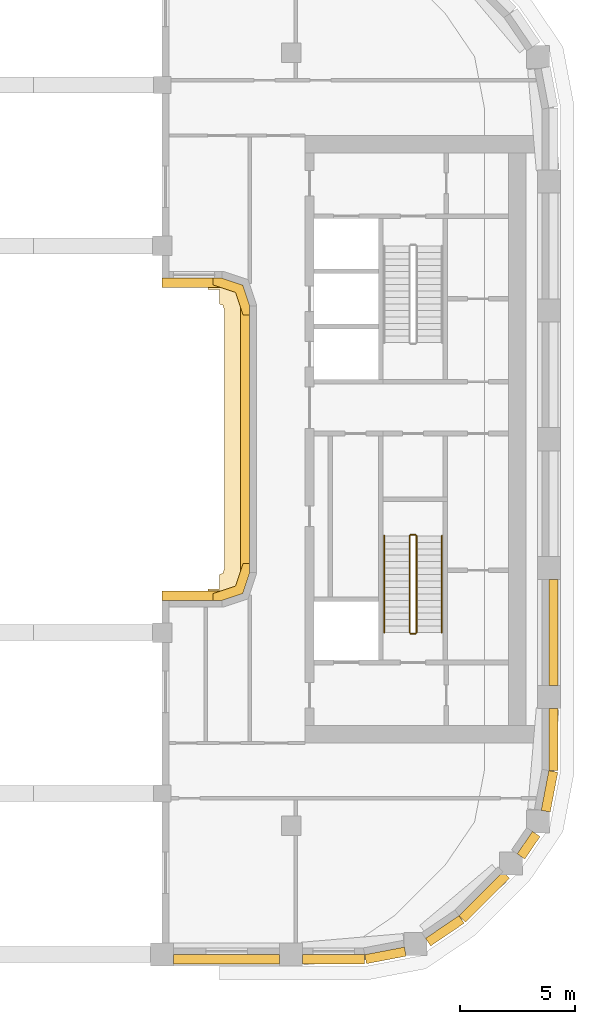
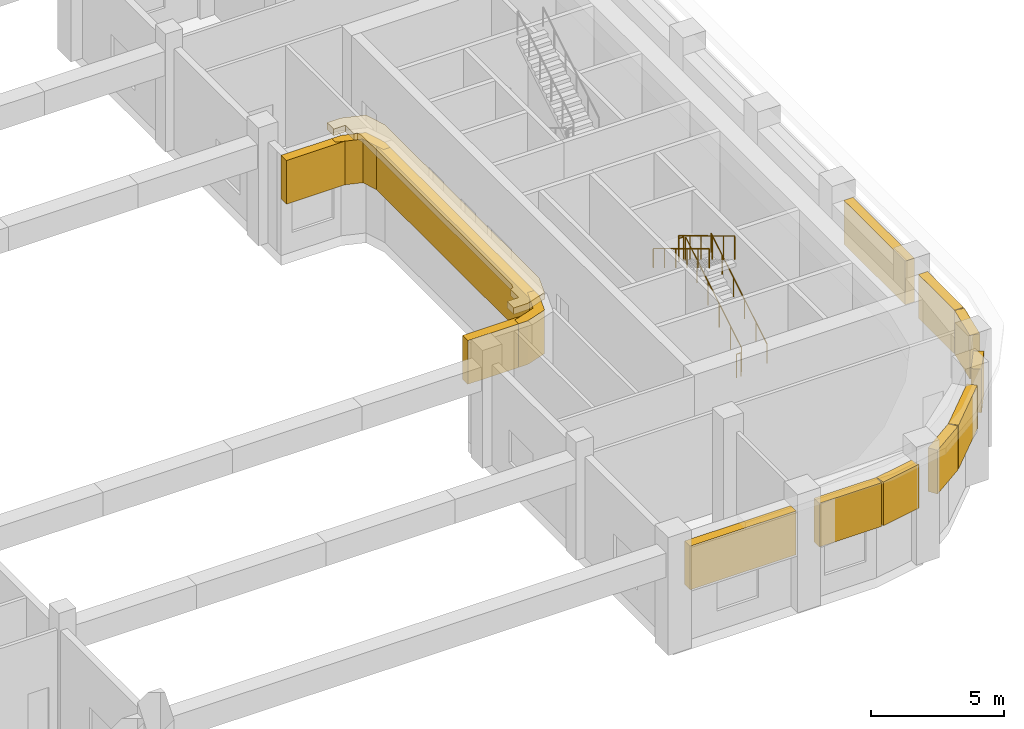
# One storey, part 11 of 14: 15 coverings, 6 railings.
"""IFC4 building model written with IfcOpenShell, lengths in metres."""

from ifc_helpers import new_model, si_unit, direction, frame, origin, origin_2d, place, context, subcontext, project, spatial, polyline, rectangle, circle, outline, extrude, material, layer, layer_set, type_object, element, save


model = new_model("IFC4")

# Units and contexts
model_context = context("Model", 3, precision=1e-05, world=origin(), true_north=direction((0.0, 1.0)))
body_context = subcontext(model_context, "Body", "Model", "MODEL_VIEW")
ifc_project = project(units=[si_unit("LENGTHUNIT", "METRE"), si_unit("AREAUNIT", "SQUARE_METRE"), si_unit("VOLUMEUNIT", "CUBIC_METRE"), si_unit("PLANEANGLEUNIT", "RADIAN"), si_unit("MASSUNIT", "GRAM", prefix="KILO")], contexts=[model_context])

# Site, building, storey
site_placement = place(None, origin())
site = spatial("IfcSite", under=ifc_project, at=site_placement, CompositionType="ELEMENT")
building_placement = place(site_placement, origin())
building = spatial("IfcBuilding", under=site, at=building_placement, Name="Kiln Ring Residences", CompositionType="ELEMENT")
storey_placement = place(building_placement, frame((0.0, 0.0, 183.5)))
storey = spatial("IfcBuildingStorey", under=building, at=storey_placement, Name="L47", CompositionType="ELEMENT", Elevation=183.5)

# Railings
ifc_material_1 = material(Name="Stainless steel", Category="steel")
railing_type_1 = type_object("IfcRailingType", Name="CORE-STAIR-GUARD", PredefinedType="GUARDRAIL", material=ifc_material_1)
railing_1_placement = place(storey_placement, frame((22.25, -8.39990234375, 0.168701171875)))
element("IfcRailing", 1, at=railing_1_placement, inside=storey, type_object=railing_type_1, Name="L47 E-STS stair guard 1", PredefinedType="GUARDRAIL", context=body_context, shape_type="SweptSolid", body=[
    extrude(circle(Radius=0.02392578125, at=origin_2d()), frame((0.0, 0.0, 1.076171875), z_axis=(0.0, 0.856476492594, 0.516186030065), x_axis=(-1.0, 0.0, 0.0)), (0.0, 0.0, 1.0), 4.90380859375),
    extrude(circle(Radius=0.02099609375, at=origin_2d()), origin(), (0.0, 0.0, 1.0), 1.052001953125),
    extrude(circle(Radius=0.02099609375, at=origin_2d()), frame((0.0, 0.840087890625, 0.50634765625)), (0.0, 0.0, 1.0), 1.052001953125),
    extrude(circle(Radius=0.02099609375, at=origin_2d()), frame((0.0, 1.679931640625, 1.012451171875)), (0.0, 0.0, 1.0), 1.052001953125),
    extrude(circle(Radius=0.02099609375, at=origin_2d()), frame((0.0, 2.52001953125, 1.518798828125)), (0.0, 0.0, 1.0), 1.052001953125),
    extrude(circle(Radius=0.02099609375, at=origin_2d()), frame((0.0, 3.35986328125, 2.02490234375)), (0.0, 0.0, 1.0), 1.052001953125),
    extrude(circle(Radius=0.02099609375, at=origin_2d()), frame((0.0, 4.199951171875, 2.53125)), (0.0, 0.0, 1.0), 1.052001953125),
])
railing_2_placement = place(storey_placement, frame((22.199951171875, -4.14990234375, 2.699951171875)))
element("IfcRailing", 2, at=railing_2_placement, inside=storey, type_object=railing_type_1, Name="L47 E-STS stair guard 2", PredefinedType="GUARDRAIL", context=body_context, shape_type="SweptSolid", body=[
    extrude(circle(Radius=0.02392578125, at=origin_2d()), frame((0.0, 0.0, 1.076171875), z_axis=(-1.0, 0.0, 0.0), x_axis=(0.0, -1.0, 0.0)), (0.0, 0.0, 1.0), 0.199951171875),
    extrude(circle(Radius=0.02099609375, at=origin_2d()), origin(), (0.0, 0.0, 1.0), 1.052001953125),
    extrude(circle(Radius=0.02099609375, at=origin_2d()), frame((-0.199951171875, 0.0, 0.0)), (0.0, 0.0, 1.0), 1.052001953125),
])
railing_3_placement = place(storey_placement, frame((21.949951171875, -4.199951171875, 2.86865234375)))
element("IfcRailing", 3, at=railing_3_placement, inside=storey, type_object=railing_type_1, Name="L47 E-STS stair guard 3", PredefinedType="GUARDRAIL", context=body_context, shape_type="SweptSolid", body=[
    extrude(circle(Radius=0.02392578125, at=origin_2d()), frame((0.0, 0.0, 1.076171875), z_axis=(0.0, -0.856476492594, 0.516186030065), x_axis=(1.0, 0.0, 0.0)), (0.0, 0.0, 1.0), 4.90380859375),
    extrude(circle(Radius=0.02099609375, at=origin_2d()), origin(), (0.0, 0.0, 1.0), 1.052001953125),
    extrude(circle(Radius=0.02099609375, at=origin_2d()), frame((0.0, -0.840087890625, 0.50634765625)), (0.0, 0.0, 1.0), 1.052001953125),
    extrude(circle(Radius=0.02099609375, at=origin_2d()), frame((0.0, -1.679931640625, 1.012451171875)), (0.0, 0.0, 1.0), 1.052001953125),
    extrude(circle(Radius=0.02099609375, at=origin_2d()), frame((0.0, -2.52001953125, 1.518798828125)), (0.0, 0.0, 1.0), 1.052001953125),
    extrude(circle(Radius=0.02099609375, at=origin_2d()), frame((0.0, -3.35986328125, 2.02490234375)), (0.0, 0.0, 1.0), 1.052001953125),
    extrude(circle(Radius=0.02099609375, at=origin_2d()), frame((0.0, -4.199951171875, 2.53125)), (0.0, 0.0, 1.0), 1.052001953125),
])
railing_4_placement = place(storey_placement, frame((22.199951171875, -8.449951171875, 0.0)))
element("IfcRailing", 4, at=railing_4_placement, inside=storey, type_object=railing_type_1, Name="L47 E-STS stair guard 4", PredefinedType="GUARDRAIL", context=body_context, shape_type="SweptSolid", body=[
    extrude(circle(Radius=0.02392578125, at=origin_2d()), frame((0.0, 0.0, 1.076171875), z_axis=(-1.0, 0.0, 0.0), x_axis=(0.0, -1.0, 0.0)), (0.0, 0.0, 1.0), 0.199951171875),
    extrude(circle(Radius=0.02099609375, at=origin_2d()), origin(), (0.0, 0.0, 1.0), 1.052001953125),
    extrude(circle(Radius=0.02099609375, at=origin_2d()), frame((-0.199951171875, 0.0, 0.0)), (0.0, 0.0, 1.0), 1.052001953125),
])
ifc_material_2 = material(Name="Stainless steel", Category="steel")
railing_type_2 = type_object("IfcRailingType", Name="CORE-STAIR-HANDRAIL", PredefinedType="HANDRAIL", material=ifc_material_2)
railing_5_placement = place(storey_placement, frame((23.35009765625, -8.39990234375, 0.168701171875)))
element("IfcRailing", 5, at=railing_5_placement, inside=storey, type_object=railing_type_2, Name="L47 E-STS stair handrail 1", PredefinedType="HANDRAIL", context=body_context, shape_type="SweptSolid", body=[
    extrude(circle(Radius=0.02392578125, at=origin_2d()), frame((0.0, 0.0, 0.8759765625), z_axis=(0.0, 0.856476492594, 0.516186030065), x_axis=(-1.0, 0.0, 0.0)), (0.0, 0.0, 1.0), 4.90380859375),
    extrude(circle(Radius=0.02099609375, at=origin_2d()), origin(), (0.0, 0.0, 1.0), 0.851806640625),
    extrude(circle(Radius=0.02099609375, at=origin_2d()), frame((0.0, 0.840087890625, 0.50634765625)), (0.0, 0.0, 1.0), 0.851806640625),
    extrude(circle(Radius=0.02099609375, at=origin_2d()), frame((0.0, 1.679931640625, 1.012451171875)), (0.0, 0.0, 1.0), 0.851806640625),
    extrude(circle(Radius=0.02099609375, at=origin_2d()), frame((0.0, 2.52001953125, 1.518798828125)), (0.0, 0.0, 1.0), 0.851806640625),
    extrude(circle(Radius=0.02099609375, at=origin_2d()), frame((0.0, 3.35986328125, 2.02490234375)), (0.0, 0.0, 1.0), 0.851806640625),
    extrude(circle(Radius=0.02099609375, at=origin_2d()), frame((0.0, 4.199951171875, 2.53125)), (0.0, 0.0, 1.0), 0.851806640625),
])
railing_6_placement = place(storey_placement, frame((20.85009765625, -4.199951171875, 2.86865234375)))
element("IfcRailing", 6, at=railing_6_placement, inside=storey, type_object=railing_type_2, Name="L47 E-STS stair handrail 2", PredefinedType="HANDRAIL", context=body_context, shape_type="SweptSolid", body=[
    extrude(circle(Radius=0.02392578125, at=origin_2d()), frame((0.0, 0.0, 0.8759765625), z_axis=(0.0, -0.856476492594, 0.516186030065), x_axis=(1.0, 0.0, 0.0)), (0.0, 0.0, 1.0), 4.90380859375),
    extrude(circle(Radius=0.02099609375, at=origin_2d()), origin(), (0.0, 0.0, 1.0), 0.851806640625),
    extrude(circle(Radius=0.02099609375, at=origin_2d()), frame((0.0, -0.840087890625, 0.50634765625)), (0.0, 0.0, 1.0), 0.851806640625),
    extrude(circle(Radius=0.02099609375, at=origin_2d()), frame((0.0, -1.679931640625, 1.012451171875)), (0.0, 0.0, 1.0), 0.851806640625),
    extrude(circle(Radius=0.02099609375, at=origin_2d()), frame((0.0, -2.52001953125, 1.518798828125)), (0.0, 0.0, 1.0), 0.851806640625),
    extrude(circle(Radius=0.02099609375, at=origin_2d()), frame((0.0, -3.35986328125, 2.02490234375)), (0.0, 0.0, 1.0), 0.851806640625),
    extrude(circle(Radius=0.02099609375, at=origin_2d()), frame((0.0, -4.199951171875, 2.53125)), (0.0, 0.0, 1.0), 0.851806640625),
])

# Coverings
ifc_material_3 = material(Name="Black powder-coated steel", Category="steel")
ifc_layer = layer(ifc_material_3, 0.300048828125)
ifc_layer_set = layer_set([ifc_layer], Name="SUNSHADE FIN 600")
covering_type_1 = type_object("IfcCoveringType", Name="SUNSHADE FIN 600", PredefinedType="CLADDING", material=ifc_layer_set)
covering_1_placement = place(storey_placement, frame((0.0, 0.0, 5.10009765625)))
element("IfcCovering", 7, at=covering_1_placement, inside=storey, type_object=covering_type_1, Name="SUNSHADE FIN L47", PredefinedType="CLADDING", context=body_context, shape_type="SweptSolid", body=[
    extrude(outline(polyline([(13.18994140625, 6.5), (13.699951171875, 6.5), (13.699951171875, 5.873779296875), (13.830322265625, 5.830322265625), (13.89990234375, 5.62158203125), (13.89990234375, -5.62158203125), (13.830322265625, -5.830322265625), (13.699951171875, -5.873779296875), (13.699951171875, -6.5), (13.18994140625, -6.5), (13.18994140625, -7.0), (13.800048828125, -7.0), (14.699951171875, -6.699951171875), (15.0, -5.800048828125), (15.0, 5.800048828125), (14.699951171875, 6.699951171875), (13.800048828125, 7.0), (13.18994140625, 7.0), (13.18994140625, 6.5)])), origin(), (0.0, 0.0, 1.0), 0.2998046875),
])
ifc_material_4 = material(Name="Concrete C35/45, exposed aggregate finish", Category="concrete")
covering_type_2 = type_object("IfcCoveringType", Name="TIE BAND 2000 x 400", PredefinedType="CLADDING", material=ifc_material_4)
covering_2_placement = place(storey_placement, frame((12.5, -6.800048828125, 2.60009765625), z_axis=(0.0, 0.0, 1.0), x_axis=(-1.0, 0.0, 0.0)))
element("IfcCovering", 8, at=covering_2_placement, inside=storey, type_object=covering_type_2, Name="TIE BAND L47", PredefinedType="CLADDING", context=body_context, shape_type="SweptSolid", body=[
    extrude(rectangle(XDim=2.60009765625, YDim=0.39990234375, at=origin_2d()), origin(), (0.0, 0.0, 1.0), 2.0),
])
covering_3_placement = place(storey_placement, frame((14.0, -22.60009765625, 2.60009765625), z_axis=(0.0, 0.0, 1.0), x_axis=(1.0, 0.0, 0.0)))
element("IfcCovering", 9, at=covering_3_placement, inside=storey, type_object=covering_type_2, Name="TIE BAND L47", PredefinedType="CLADDING", context=body_context, shape_type="SweptSolid", body=[
    extrude(rectangle(XDim=4.60009765625, YDim=0.39990234375, at=origin_2d()), origin(), (0.0, 0.0, 1.0), 2.0),
])
covering_4_placement = place(storey_placement, frame((18.64990234375, -22.60009765625, 2.60009765625), z_axis=(0.0, 0.0, 1.0), x_axis=(1.0, 0.0, 0.0)))
element("IfcCovering", 10, at=covering_4_placement, inside=storey, type_object=covering_type_2, Name="TIE BAND L47", PredefinedType="CLADDING", context=body_context, shape_type="SweptSolid", body=[
    extrude(rectangle(XDim=2.699951171875, YDim=0.39990234375, at=origin_2d()), origin(), (0.0, 0.0, 1.0), 2.0),
])
for number, where, z_axis, x_axis, name in (
    (11, (20.89990234375, -22.431884765625, 2.60009765625), (0.0, 0.0, 1.0), (0.98229025778, 0.187365550382, 0.0), "TIE BAND L47"),
    (12, (23.483154296875, -21.36181640625, 2.60009765625), (0.0, 0.0, 1.0), (0.827071553606, 0.562096651134, 0.0), "TIE BAND L47"),
):
    element("IfcCovering", number, at=place(storey_placement, frame(where, z_axis=z_axis, x_axis=x_axis)), inside=storey, type_object=covering_type_2, Name=name, PredefinedType="CLADDING", context=body_context, shape_type="SweptSolid", body=[
        extrude(rectangle(XDim=1.756103515625, YDim=0.39990234375, at=origin_2d()), origin(), (0.0, 0.0, 1.0), 2.0),
    ])
covering_5_placement = place(storey_placement, frame((25.193115234375, -19.8896484375, 2.60009765625), z_axis=(0.0, 0.0, 1.0), x_axis=(0.707106781187, 0.707106781187, 0.0)))
element("IfcCovering", 13, at=covering_5_placement, inside=storey, type_object=covering_type_2, Name="TIE BAND L47", PredefinedType="CLADDING", context=body_context, shape_type="SweptSolid", body=[
    extrude(rectangle(XDim=2.699951171875, YDim=0.39990234375, at=origin_2d()), origin(), (0.0, 0.0, 1.0), 2.0),
])
covering_6_placement = place(storey_placement, frame((27.12451171875, -17.643798828125, 2.60009765625), z_axis=(0.0, 0.0, 1.0), x_axis=(0.562096651134, 0.827071553606, 0.0)))
element("IfcCovering", 14, at=covering_6_placement, inside=storey, type_object=covering_type_2, Name="TIE BAND L47", PredefinedType="CLADDING", context=body_context, shape_type="SweptSolid", body=[
    extrude(rectangle(XDim=1.177001953125, YDim=0.39990234375, at=origin_2d()), origin(), (0.0, 0.0, 1.0), 2.0),
])
covering_7_placement = place(storey_placement, frame((28.031982421875, -15.300048828125, 2.60009765625), z_axis=(0.0, 0.0, 1.0), x_axis=(0.187365550382, 0.98229025778, 0.0)))
element("IfcCovering", 15, at=covering_7_placement, inside=storey, type_object=covering_type_2, Name="TIE BAND L47", PredefinedType="CLADDING", context=body_context, shape_type="SweptSolid", body=[
    extrude(rectangle(XDim=1.756103515625, YDim=0.39990234375, at=origin_2d()), origin(), (0.0, 0.0, 1.0), 2.0),
])
covering_8_placement = place(storey_placement, frame((28.199951171875, -13.050048828125, 2.60009765625), z_axis=(0.0, 0.0, 1.0), x_axis=(0.0, 1.0, 0.0)))
element("IfcCovering", 16, at=covering_8_placement, inside=storey, type_object=covering_type_2, Name="TIE BAND L47", PredefinedType="CLADDING", context=body_context, shape_type="SweptSolid", body=[
    extrude(rectangle(XDim=2.699951171875, YDim=0.39990234375, at=origin_2d()), origin(), (0.0, 0.0, 1.0), 2.0),
])
covering_9_placement = place(storey_placement, frame((28.199951171875, -8.39990234375, 2.60009765625), z_axis=(0.0, 0.0, 1.0), x_axis=(0.0, 1.0, 0.0)))
element("IfcCovering", 17, at=covering_9_placement, inside=storey, type_object=covering_type_2, Name="TIE BAND L47", PredefinedType="CLADDING", context=body_context, shape_type="SweptSolid", body=[
    extrude(rectangle(XDim=4.60009765625, YDim=0.39990234375, at=origin_2d()), origin(), (0.0, 0.0, 1.0), 2.0),
])
covering_10_placement = place(storey_placement, frame((12.5, 6.800048828125, 2.60009765625), z_axis=(0.0, 0.0, 1.0), x_axis=(1.0, 0.0, 0.0)))
element("IfcCovering", 18, at=covering_10_placement, inside=storey, type_object=covering_type_2, Name="TIE BAND L47", PredefinedType="CLADDING", context=body_context, shape_type="SweptSolid", body=[
    extrude(rectangle(XDim=2.60009765625, YDim=0.39990234375, at=origin_2d()), origin(), (0.0, 0.0, 1.0), 2.0),
])
covering_11_placement = place(storey_placement, frame((14.800048828125, 0.0, 2.60009765625), z_axis=(0.0, 0.0, 1.0), x_axis=(0.0, -1.0, 0.0)))
element("IfcCovering", 19, at=covering_11_placement, inside=storey, type_object=covering_type_2, Name="TIE BAND L47", PredefinedType="CLADDING", context=body_context, shape_type="SweptSolid", body=[
    extrude(rectangle(XDim=11.60009765625, YDim=0.39990234375, at=origin_2d()), origin(), (0.0, 0.0, 1.0), 2.0),
])
placement = place(storey_placement, frame((0.0, 0.0, 2.60009765625)))
element("IfcCovering", 20, at=placement, inside=storey, type_object=covering_type_2, Name="TIE BAND L47", PredefinedType="CLADDING", context=body_context, shape_type="SweptSolid", body=[
    extrude(outline(polyline([(13.800048828125, 7.0), (13.39990234375, 7.0), (13.39990234375, 6.711669921875), (14.3837890625, 6.3837890625), (14.711669921875, 5.39990234375), (15.0, 5.39990234375), (15.0, 5.800048828125), (14.699951171875, 6.699951171875), (13.800048828125, 7.0)])), origin(), (0.0, 0.0, 1.0), 2.0),
])
element("IfcCovering", 21, at=placement, inside=storey, type_object=covering_type_2, Name="TIE BAND L47", PredefinedType="CLADDING", context=body_context, shape_type="SweptSolid", body=[
    extrude(outline(polyline([(15.0, -5.800048828125), (15.0, -5.39990234375), (14.711669921875, -5.39990234375), (14.3837890625, -6.3837890625), (13.39990234375, -6.711669921875), (13.39990234375, -7.0), (13.800048828125, -7.0), (14.699951171875, -6.699951171875), (15.0, -5.800048828125)])), origin(), (0.0, 0.0, 1.0), 2.0),
])

save(model, "model.ifc")
